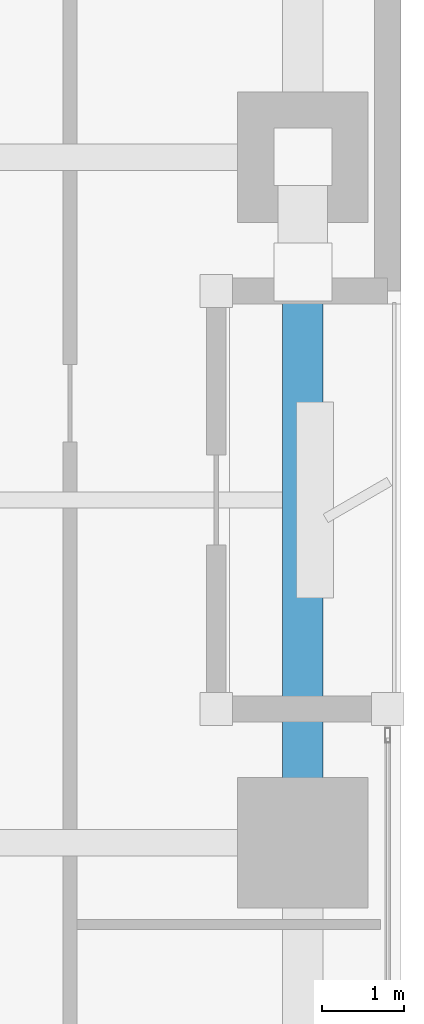
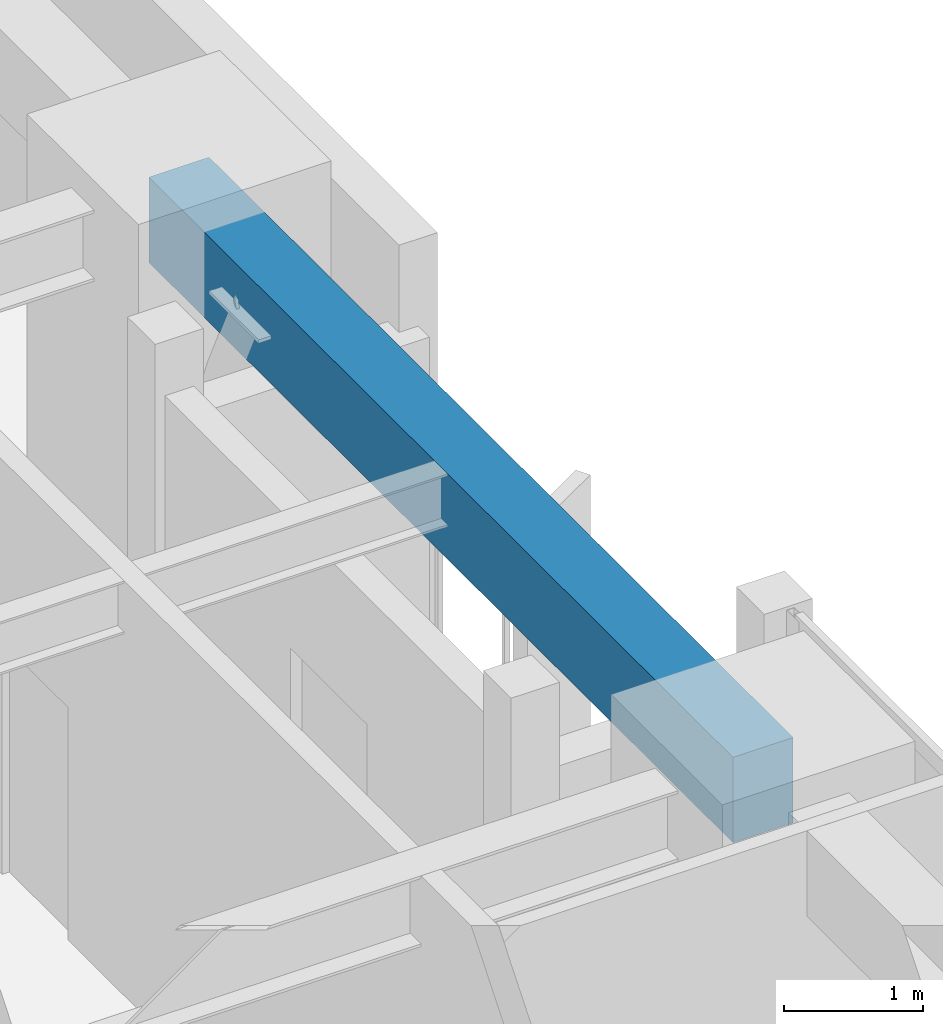
# One storey, part 7 of 24: 1 beam.
"""IFC4 building model written with IfcOpenShell, lengths in metres."""

from ifc_helpers import new_model, si_unit, direction, frame, origin, origin_2d, place, context, subcontext, project, spatial, rectangle, extrude, material, material_profile, profile_set, type_object, element, save


model = new_model("IFC4")

# Units and contexts
model_context = context("Model", 3, precision=1e-05, world=origin(), true_north=direction((0.0, 1.0)))
body_context = subcontext(model_context, "Body", "Model", "MODEL_VIEW")
ifc_project = project(units=[si_unit("LENGTHUNIT", "METRE"), si_unit("AREAUNIT", "SQUARE_METRE"), si_unit("VOLUMEUNIT", "CUBIC_METRE"), si_unit("PLANEANGLEUNIT", "RADIAN"), si_unit("MASSUNIT", "GRAM", prefix="KILO")], contexts=[model_context])

# Site, building, storey
site_placement = place(None, origin())
site = spatial("IfcSite", under=ifc_project, at=site_placement, CompositionType="ELEMENT")
building_placement = place(site_placement, origin())
building = spatial("IfcBuilding", under=site, at=building_placement, Name="Kiyonajd Concourse Tower", CompositionType="ELEMENT")
storey_placement = place(building_placement, frame((0.0, 0.0, 89.699951171875)))
storey = spatial("IfcBuildingStorey", under=building, at=storey_placement, Name="L23", CompositionType="ELEMENT", Elevation=89.699951171875)

# Beam
ifc_material = material(Name="Precast concrete C50/60", Category="concrete")
ifc_material_profile = material_profile(ifc_material, rectangle(XDim=0.5, YDim=0.75, at=origin_2d()), Name="RCBM-500x750")
ifc_profile_set = profile_set([ifc_material_profile], Name="Precast concrete C50/60")
beam_type = type_object("IfcBeamType", Name="BM-SPAN-RC", PredefinedType="SPANDREL", material=ifc_profile_set)
beam_placement = place(storey_placement, frame((69.60009765625, 36.0, 3.26513671875), z_axis=(0.0, 1.0, 0.0), x_axis=(-1.0, 0.0, 0.0)))
element("IfcBeam", 1, at=beam_placement, inside=storey, type_object=beam_type, Name="L23 Perimeter Bundled Tube Spandrel", PredefinedType="SPANDREL", context=body_context, shape_type="SweptSolid", body=[
    extrude(rectangle(XDim=0.5, YDim=0.75, at=origin_2d()), origin(), (0.0, 0.0, 1.0), 8.39990234375),
])

save(model, "model.ifc")
